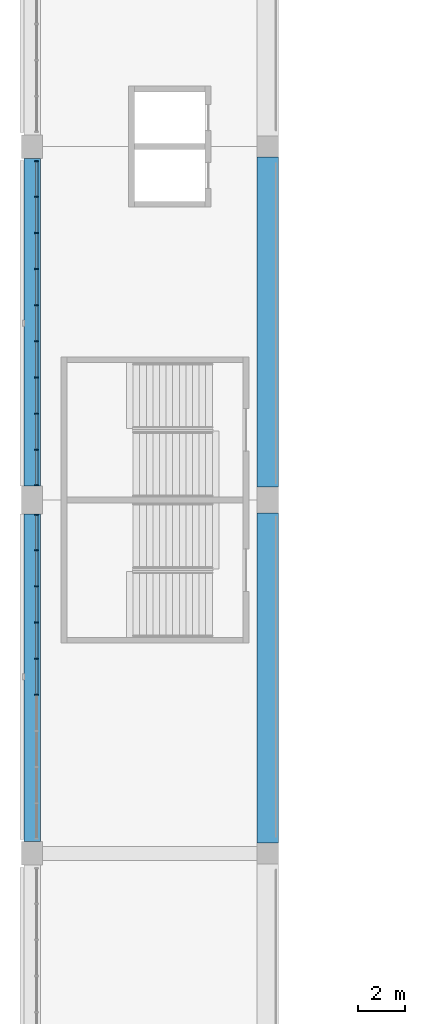
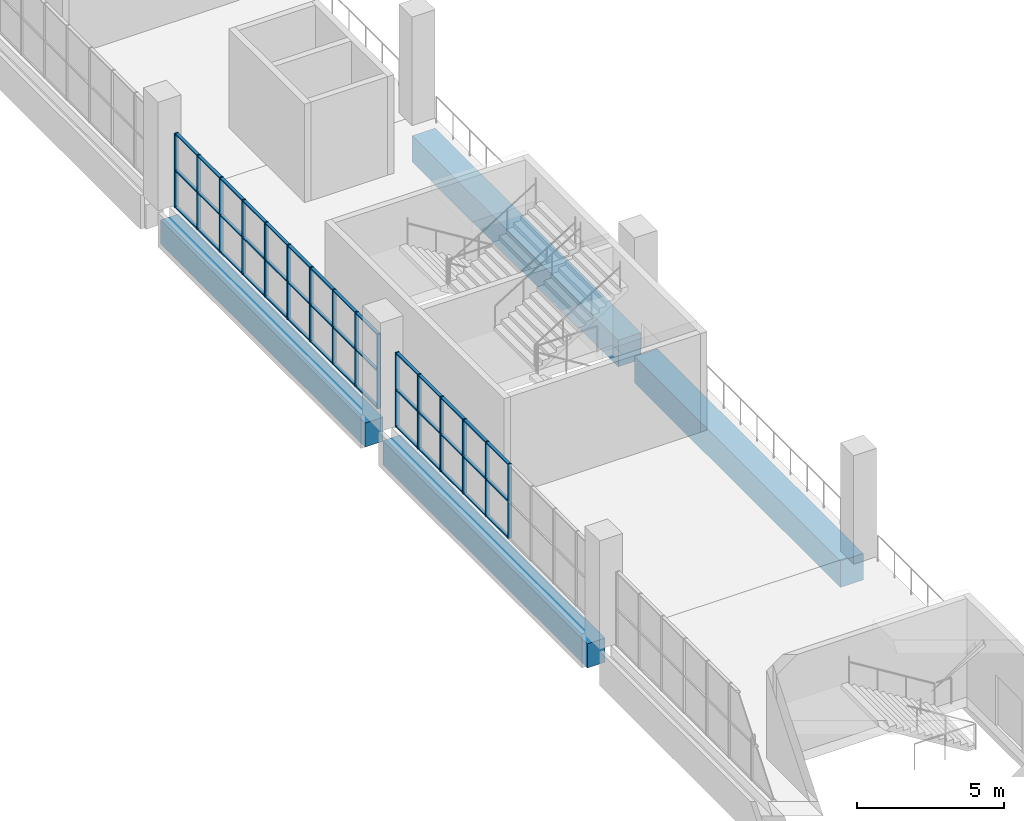
# One storey, part 14 of 177: 58 members, 4 beams, 2 elements without a shape of their own.
"""IFC4 building model written with IfcOpenShell, lengths in metres."""

from ifc_helpers import new_model, si_unit, direction, frame, origin, origin_2d, place, context, subcontext, project, spatial, rectangle, extrude, material, material_profile, profile_set, type_object, element, aggregate, save


model = new_model("IFC4")

# Units and contexts
model_context = context("Model", 3, precision=1e-05, world=origin(), true_north=direction((0.0, 1.0)))
body_context = subcontext(model_context, "Body", "Model", "MODEL_VIEW")
ifc_project = project(units=[si_unit("LENGTHUNIT", "METRE"), si_unit("AREAUNIT", "SQUARE_METRE"), si_unit("VOLUMEUNIT", "CUBIC_METRE"), si_unit("PLANEANGLEUNIT", "RADIAN"), si_unit("MASSUNIT", "GRAM", prefix="KILO")], contexts=[model_context])

# Site, building, storey
site_placement = place(None, origin())
site = spatial("IfcSite", under=ifc_project, at=site_placement, CompositionType="ELEMENT")
building_placement = place(site_placement, origin())
building = spatial("IfcBuilding", under=site, at=building_placement, Name="Ogive Plaza Stadium", CompositionType="ELEMENT")
storey_placement = place(building_placement, frame((0.0, 0.0, 18.0)))
storey = spatial("IfcBuildingStorey", under=building, at=storey_placement, Name="L04", CompositionType="ELEMENT", Elevation=18.0)

# Curtain wall, members
ifc_material_1 = material(Name="Bronze-anodised aluminium with laminated glass", Category="aluminium")
curtain_wall_type = type_object("IfcCurtainWallType", Name="Lancet curtain wall", PredefinedType="NOTDEFINED", material=ifc_material_1)
curtain_wall_1_placement = place(storey_placement, origin())
curtain_wall_1 = element("IfcCurtainWall", 1, at=curtain_wall_1_placement, inside=storey, type_object=curtain_wall_type, Name="CURTAIN WALL B23 L04", PredefinedType="NOTDEFINED")
ifc_material_2 = material(Name="Bronze-anodised aluminium", Category="aluminium")
ifc_material_profile_1 = material_profile(ifc_material_2, rectangle(XDim=0.14990234375, YDim=0.050048828125, at=origin_2d()), Name="AL 150x50")
ifc_profile_set_1 = profile_set([ifc_material_profile_1], Name="Bronze-anodised aluminium")
member_type_1 = type_object("IfcMemberType", Name="Curtain wall mullion 50x150", PredefinedType="MULLION", material=ifc_profile_set_1)
member_1_placement = place(storey_placement, frame((-83.800048828125, -15.7666015625, 0.0), z_axis=(0.0, 0.0, 1.0), x_axis=(-1.0, 0.0, 0.0)))
member_1 = element("IfcMember", 2, at=member_1_placement, type_object=member_type_1, Name="CW-B23-L04 mullion 5", PredefinedType="MULLION", context=body_context, shape_type="SweptSolid", body=[
    extrude(rectangle(XDim=0.14990234375, YDim=0.050048828125, at=origin_2d()), origin(), (0.0, 0.0, 1.0), 3.090087890625),
])
member_2_placement = place(storey_placement, frame((-83.800048828125, -14.2333984375, 0.0), z_axis=(0.0, 0.0, 1.0), x_axis=(-1.0, 0.0, 0.0)))
member_2 = element("IfcMember", 3, at=member_2_placement, type_object=member_type_1, Name="CW-B23-L04 mullion 6", PredefinedType="MULLION", context=body_context, shape_type="SweptSolid", body=[
    extrude(rectangle(XDim=0.14990234375, YDim=0.050048828125, at=origin_2d()), origin(), (0.0, 0.0, 1.0), 3.090087890625),
])
member_3_placement = place(storey_placement, frame((-83.800048828125, -12.699951171875, 0.0), z_axis=(0.0, 0.0, 1.0), x_axis=(-1.0, 0.0, 0.0)))
member_3 = element("IfcMember", 4, at=member_3_placement, type_object=member_type_1, Name="CW-B23-L04 mullion 7", PredefinedType="MULLION", context=body_context, shape_type="SweptSolid", body=[
    extrude(rectangle(XDim=0.14990234375, YDim=0.050048828125, at=origin_2d()), origin(), (0.0, 0.0, 1.0), 3.090087890625),
])
member_4_placement = place(storey_placement, frame((-83.800048828125, -11.166748046875, 0.0), z_axis=(0.0, 0.0, 1.0), x_axis=(-1.0, 0.0, 0.0)))
member_4 = element("IfcMember", 5, at=member_4_placement, type_object=member_type_1, Name="CW-B23-L04 mullion 8", PredefinedType="MULLION", context=body_context, shape_type="SweptSolid", body=[
    extrude(rectangle(XDim=0.14990234375, YDim=0.050048828125, at=origin_2d()), origin(), (0.0, 0.0, 1.0), 3.090087890625),
])
member_5_placement = place(storey_placement, frame((-83.800048828125, -9.63330078125, 0.0), z_axis=(0.0, 0.0, 1.0), x_axis=(-1.0, 0.0, 0.0)))
member_5 = element("IfcMember", 6, at=member_5_placement, type_object=member_type_1, Name="CW-B23-L04 mullion 9", PredefinedType="MULLION", context=body_context, shape_type="SweptSolid", body=[
    extrude(rectangle(XDim=0.14990234375, YDim=0.050048828125, at=origin_2d()), origin(), (0.0, 0.0, 1.0), 3.090087890625),
])
member_6_placement = place(storey_placement, frame((-83.800048828125, -8.125, 0.0), z_axis=(0.0, 0.0, 1.0), x_axis=(-1.0, 0.0, 0.0)))
member_6 = element("IfcMember", 7, at=member_6_placement, type_object=member_type_1, Name="CW-B23-L04 mullion 10", PredefinedType="MULLION", context=body_context, shape_type="SweptSolid", body=[
    extrude(rectangle(XDim=0.14990234375, YDim=0.050048828125, at=origin_2d()), origin(), (0.0, 0.0, 1.0), 3.090087890625),
])

curtain_wall_2_placement = place(storey_placement, origin())
curtain_wall_2 = element("IfcCurtainWall", 8, at=curtain_wall_2_placement, inside=storey, type_object=curtain_wall_type, Name="CURTAIN WALL B24 L04", PredefinedType="NOTDEFINED")
member_7_placement = place(storey_placement, frame((-83.800048828125, -6.875, 0.0), z_axis=(0.0, 0.0, 1.0), x_axis=(-1.0, 0.0, 0.0)))
member_7 = element("IfcMember", 9, at=member_7_placement, type_object=member_type_1, Name="CW-B24-L04 mullion 1", PredefinedType="MULLION", context=body_context, shape_type="SweptSolid", body=[
    extrude(rectangle(XDim=0.14990234375, YDim=0.050048828125, at=origin_2d()), origin(), (0.0, 0.0, 1.0), 3.090087890625),
])
member_8_placement = place(storey_placement, frame((-83.800048828125, -5.36669921875, 0.0), z_axis=(0.0, 0.0, 1.0), x_axis=(-1.0, 0.0, 0.0)))
member_8 = element("IfcMember", 10, at=member_8_placement, type_object=member_type_1, Name="CW-B24-L04 mullion 2", PredefinedType="MULLION", context=body_context, shape_type="SweptSolid", body=[
    extrude(rectangle(XDim=0.14990234375, YDim=0.050048828125, at=origin_2d()), origin(), (0.0, 0.0, 1.0), 3.090087890625),
])
member_9_placement = place(storey_placement, frame((-83.800048828125, -3.833251953125, 0.0), z_axis=(0.0, 0.0, 1.0), x_axis=(-1.0, 0.0, 0.0)))
member_9 = element("IfcMember", 11, at=member_9_placement, type_object=member_type_1, Name="CW-B24-L04 mullion 3", PredefinedType="MULLION", context=body_context, shape_type="SweptSolid", body=[
    extrude(rectangle(XDim=0.14990234375, YDim=0.050048828125, at=origin_2d()), origin(), (0.0, 0.0, 1.0), 3.090087890625),
])
member_10_placement = place(storey_placement, frame((-83.800048828125, -2.300048828125, 0.0), z_axis=(0.0, 0.0, 1.0), x_axis=(-1.0, 0.0, 0.0)))
member_10 = element("IfcMember", 12, at=member_10_placement, type_object=member_type_1, Name="CW-B24-L04 mullion 4", PredefinedType="MULLION", context=body_context, shape_type="SweptSolid", body=[
    extrude(rectangle(XDim=0.14990234375, YDim=0.050048828125, at=origin_2d()), origin(), (0.0, 0.0, 1.0), 3.090087890625),
])
member_11_placement = place(storey_placement, frame((-83.800048828125, -0.7666015625, 0.0), z_axis=(0.0, 0.0, 1.0), x_axis=(-1.0, 0.0, 0.0)))
member_11 = element("IfcMember", 13, at=member_11_placement, type_object=member_type_1, Name="CW-B24-L04 mullion 5", PredefinedType="MULLION", context=body_context, shape_type="SweptSolid", body=[
    extrude(rectangle(XDim=0.14990234375, YDim=0.050048828125, at=origin_2d()), origin(), (0.0, 0.0, 1.0), 3.090087890625),
])
member_12_placement = place(storey_placement, frame((-83.800048828125, 0.7666015625, 0.0), z_axis=(0.0, 0.0, 1.0), x_axis=(-1.0, 0.0, 0.0)))
member_12 = element("IfcMember", 14, at=member_12_placement, type_object=member_type_1, Name="CW-B24-L04 mullion 6", PredefinedType="MULLION", context=body_context, shape_type="SweptSolid", body=[
    extrude(rectangle(XDim=0.14990234375, YDim=0.050048828125, at=origin_2d()), origin(), (0.0, 0.0, 1.0), 3.090087890625),
])
member_13_placement = place(storey_placement, frame((-83.800048828125, 2.300048828125, 0.0), z_axis=(0.0, 0.0, 1.0), x_axis=(-1.0, 0.0, 0.0)))
member_13 = element("IfcMember", 15, at=member_13_placement, type_object=member_type_1, Name="CW-B24-L04 mullion 7", PredefinedType="MULLION", context=body_context, shape_type="SweptSolid", body=[
    extrude(rectangle(XDim=0.14990234375, YDim=0.050048828125, at=origin_2d()), origin(), (0.0, 0.0, 1.0), 3.090087890625),
])
member_14_placement = place(storey_placement, frame((-83.800048828125, 3.833251953125, 0.0), z_axis=(0.0, 0.0, 1.0), x_axis=(-1.0, 0.0, 0.0)))
member_14 = element("IfcMember", 16, at=member_14_placement, type_object=member_type_1, Name="CW-B24-L04 mullion 8", PredefinedType="MULLION", context=body_context, shape_type="SweptSolid", body=[
    extrude(rectangle(XDim=0.14990234375, YDim=0.050048828125, at=origin_2d()), origin(), (0.0, 0.0, 1.0), 3.090087890625),
])
member_15_placement = place(storey_placement, frame((-83.800048828125, 5.36669921875, 0.0), z_axis=(0.0, 0.0, 1.0), x_axis=(-1.0, 0.0, 0.0)))
member_15 = element("IfcMember", 17, at=member_15_placement, type_object=member_type_1, Name="CW-B24-L04 mullion 9", PredefinedType="MULLION", context=body_context, shape_type="SweptSolid", body=[
    extrude(rectangle(XDim=0.14990234375, YDim=0.050048828125, at=origin_2d()), origin(), (0.0, 0.0, 1.0), 3.090087890625),
])
member_16_placement = place(storey_placement, frame((-83.800048828125, 6.875, 0.0), z_axis=(0.0, 0.0, 1.0), x_axis=(-1.0, 0.0, 0.0)))
member_16 = element("IfcMember", 18, at=member_16_placement, type_object=member_type_1, Name="CW-B24-L04 mullion 10", PredefinedType="MULLION", context=body_context, shape_type="SweptSolid", body=[
    extrude(rectangle(XDim=0.14990234375, YDim=0.050048828125, at=origin_2d()), origin(), (0.0, 0.0, 1.0), 3.090087890625),
])

# Member
ifc_material_3 = material(Name="Bronze-anodised aluminium", Category="aluminium")
ifc_material_profile_2 = material_profile(ifc_material_3, rectangle(XDim=0.1201171875, YDim=0.050048828125, at=origin_2d()), Name="AL 120x50")
ifc_profile_set_2 = profile_set([ifc_material_profile_2], Name="Bronze-anodised aluminium")
member_type_2 = type_object("IfcMemberType", Name="Curtain wall transom 50x120", PredefinedType="USERDEFINED", material=ifc_profile_set_2)
member_17_placement = place(storey_placement, frame((-83.800048828125, -15.74169921875, 0.02490234375), z_axis=(0.0, 1.0, 0.0), x_axis=(-1.0, 0.0, 0.0)))
member_17 = element("IfcMember", 19, at=member_17_placement, type_object=member_type_2, Name="CW-B23-L04 transom 5.1", ObjectType="TRANSOM", PredefinedType="USERDEFINED", context=body_context, shape_type="SweptSolid", body=[
    extrude(rectangle(XDim=0.1201171875, YDim=0.050048828125, at=origin_2d()), origin(), (0.0, 0.0, 1.0), 1.4833984375),
])

member_18_placement = place(storey_placement, frame((-83.800048828125, -15.74169921875, 1.544921875), z_axis=(0.0, 1.0, 0.0), x_axis=(-1.0, 0.0, 0.0)))
member_18 = element("IfcMember", 20, at=member_18_placement, type_object=member_type_2, Name="CW-B23-L04 transom 5.2", ObjectType="TRANSOM", PredefinedType="USERDEFINED", context=body_context, shape_type="SweptSolid", body=[
    extrude(rectangle(XDim=0.1201171875, YDim=0.050048828125, at=origin_2d()), origin(), (0.0, 0.0, 1.0), 1.4833984375),
])

member_19_placement = place(storey_placement, frame((-83.800048828125, -15.74169921875, 3.06494140625), z_axis=(0.0, 1.0, 0.0), x_axis=(-1.0, 0.0, 0.0)))
member_19 = element("IfcMember", 21, at=member_19_placement, type_object=member_type_2, Name="CW-B23-L04 transom 5.3", ObjectType="TRANSOM", PredefinedType="USERDEFINED", context=body_context, shape_type="SweptSolid", body=[
    extrude(rectangle(XDim=0.1201171875, YDim=0.050048828125, at=origin_2d()), origin(), (0.0, 0.0, 1.0), 1.4833984375),
])

member_20_placement = place(storey_placement, frame((-83.800048828125, -14.208251953125, 0.02490234375), z_axis=(0.0, 1.0, 0.0), x_axis=(-1.0, 0.0, 0.0)))
member_20 = element("IfcMember", 22, at=member_20_placement, type_object=member_type_2, Name="CW-B23-L04 transom 6.1", ObjectType="TRANSOM", PredefinedType="USERDEFINED", context=body_context, shape_type="SweptSolid", body=[
    extrude(rectangle(XDim=0.1201171875, YDim=0.050048828125, at=origin_2d()), origin(), (0.0, 0.0, 1.0), 1.483154296875),
])

member_21_placement = place(storey_placement, frame((-83.800048828125, -14.208251953125, 1.544921875), z_axis=(0.0, 1.0, 0.0), x_axis=(-1.0, 0.0, 0.0)))
member_21 = element("IfcMember", 23, at=member_21_placement, type_object=member_type_2, Name="CW-B23-L04 transom 6.2", ObjectType="TRANSOM", PredefinedType="USERDEFINED", context=body_context, shape_type="SweptSolid", body=[
    extrude(rectangle(XDim=0.1201171875, YDim=0.050048828125, at=origin_2d()), origin(), (0.0, 0.0, 1.0), 1.483154296875),
])

member_22_placement = place(storey_placement, frame((-83.800048828125, -14.208251953125, 3.06494140625), z_axis=(0.0, 1.0, 0.0), x_axis=(-1.0, 0.0, 0.0)))
member_22 = element("IfcMember", 24, at=member_22_placement, type_object=member_type_2, Name="CW-B23-L04 transom 6.3", ObjectType="TRANSOM", PredefinedType="USERDEFINED", context=body_context, shape_type="SweptSolid", body=[
    extrude(rectangle(XDim=0.1201171875, YDim=0.050048828125, at=origin_2d()), origin(), (0.0, 0.0, 1.0), 1.483154296875),
])

member_23_placement = place(storey_placement, frame((-83.800048828125, -12.675048828125, 0.02490234375), z_axis=(0.0, 1.0, 0.0), x_axis=(-1.0, 0.0, 0.0)))
member_23 = element("IfcMember", 25, at=member_23_placement, type_object=member_type_2, Name="CW-B23-L04 transom 7.1", ObjectType="TRANSOM", PredefinedType="USERDEFINED", context=body_context, shape_type="SweptSolid", body=[
    extrude(rectangle(XDim=0.1201171875, YDim=0.050048828125, at=origin_2d()), origin(), (0.0, 0.0, 1.0), 1.4833984375),
])

member_24_placement = place(storey_placement, frame((-83.800048828125, -12.675048828125, 1.544921875), z_axis=(0.0, 1.0, 0.0), x_axis=(-1.0, 0.0, 0.0)))
member_24 = element("IfcMember", 26, at=member_24_placement, type_object=member_type_2, Name="CW-B23-L04 transom 7.2", ObjectType="TRANSOM", PredefinedType="USERDEFINED", context=body_context, shape_type="SweptSolid", body=[
    extrude(rectangle(XDim=0.1201171875, YDim=0.050048828125, at=origin_2d()), origin(), (0.0, 0.0, 1.0), 1.4833984375),
])

member_25_placement = place(storey_placement, frame((-83.800048828125, -12.675048828125, 3.06494140625), z_axis=(0.0, 1.0, 0.0), x_axis=(-1.0, 0.0, 0.0)))
member_25 = element("IfcMember", 27, at=member_25_placement, type_object=member_type_2, Name="CW-B23-L04 transom 7.3", ObjectType="TRANSOM", PredefinedType="USERDEFINED", context=body_context, shape_type="SweptSolid", body=[
    extrude(rectangle(XDim=0.1201171875, YDim=0.050048828125, at=origin_2d()), origin(), (0.0, 0.0, 1.0), 1.4833984375),
])

member_26_placement = place(storey_placement, frame((-83.800048828125, -11.1416015625, 0.02490234375), z_axis=(0.0, 1.0, 0.0), x_axis=(-1.0, 0.0, 0.0)))
member_26 = element("IfcMember", 28, at=member_26_placement, type_object=member_type_2, Name="CW-B23-L04 transom 8.1", ObjectType="TRANSOM", PredefinedType="USERDEFINED", context=body_context, shape_type="SweptSolid", body=[
    extrude(rectangle(XDim=0.1201171875, YDim=0.050048828125, at=origin_2d()), origin(), (0.0, 0.0, 1.0), 1.483154296875),
])

member_27_placement = place(storey_placement, frame((-83.800048828125, -11.1416015625, 1.544921875), z_axis=(0.0, 1.0, 0.0), x_axis=(-1.0, 0.0, 0.0)))
member_27 = element("IfcMember", 29, at=member_27_placement, type_object=member_type_2, Name="CW-B23-L04 transom 8.2", ObjectType="TRANSOM", PredefinedType="USERDEFINED", context=body_context, shape_type="SweptSolid", body=[
    extrude(rectangle(XDim=0.1201171875, YDim=0.050048828125, at=origin_2d()), origin(), (0.0, 0.0, 1.0), 1.483154296875),
])

member_28_placement = place(storey_placement, frame((-83.800048828125, -11.1416015625, 3.06494140625), z_axis=(0.0, 1.0, 0.0), x_axis=(-1.0, 0.0, 0.0)))
member_28 = element("IfcMember", 30, at=member_28_placement, type_object=member_type_2, Name="CW-B23-L04 transom 8.3", ObjectType="TRANSOM", PredefinedType="USERDEFINED", context=body_context, shape_type="SweptSolid", body=[
    extrude(rectangle(XDim=0.1201171875, YDim=0.050048828125, at=origin_2d()), origin(), (0.0, 0.0, 1.0), 1.483154296875),
])

member_29_placement = place(storey_placement, frame((-83.800048828125, -9.6083984375, 0.02490234375), z_axis=(0.0, 1.0, 0.0), x_axis=(-1.0, 0.0, 0.0)))
member_29 = element("IfcMember", 31, at=member_29_placement, type_object=member_type_2, Name="CW-B23-L04 transom 9.1", ObjectType="TRANSOM", PredefinedType="USERDEFINED", context=body_context, shape_type="SweptSolid", body=[
    extrude(rectangle(XDim=0.1201171875, YDim=0.050048828125, at=origin_2d()), origin(), (0.0, 0.0, 1.0), 1.45849609375),
])

member_30_placement = place(storey_placement, frame((-83.800048828125, -9.6083984375, 1.544921875), z_axis=(0.0, 1.0, 0.0), x_axis=(-1.0, 0.0, 0.0)))
member_30 = element("IfcMember", 32, at=member_30_placement, type_object=member_type_2, Name="CW-B23-L04 transom 9.2", ObjectType="TRANSOM", PredefinedType="USERDEFINED", context=body_context, shape_type="SweptSolid", body=[
    extrude(rectangle(XDim=0.1201171875, YDim=0.050048828125, at=origin_2d()), origin(), (0.0, 0.0, 1.0), 1.45849609375),
])

member_31_placement = place(storey_placement, frame((-83.800048828125, -9.6083984375, 3.06494140625), z_axis=(0.0, 1.0, 0.0), x_axis=(-1.0, 0.0, 0.0)))
member_31 = element("IfcMember", 33, at=member_31_placement, type_object=member_type_2, Name="CW-B23-L04 transom 9.3", ObjectType="TRANSOM", PredefinedType="USERDEFINED", context=body_context, shape_type="SweptSolid", body=[
    extrude(rectangle(XDim=0.1201171875, YDim=0.050048828125, at=origin_2d()), origin(), (0.0, 0.0, 1.0), 1.45849609375),
])

aggregate(curtain_wall_1, [member_1, member_2, member_3, member_4, member_5, member_6, member_17, member_18, member_19, member_20, member_21, member_22, member_23, member_24, member_25, member_26, member_27, member_28, member_29, member_30, member_31])

member_32_placement = place(storey_placement, frame((-83.800048828125, -6.85009765625, 0.02490234375), z_axis=(0.0, 1.0, 0.0), x_axis=(-1.0, 0.0, 0.0)))
member_32 = element("IfcMember", 34, at=member_32_placement, type_object=member_type_2, Name="CW-B24-L04 transom 1.1", ObjectType="TRANSOM", PredefinedType="USERDEFINED", context=body_context, shape_type="SweptSolid", body=[
    extrude(rectangle(XDim=0.1201171875, YDim=0.050048828125, at=origin_2d()), origin(), (0.0, 0.0, 1.0), 1.45849609375),
])

member_33_placement = place(storey_placement, frame((-83.800048828125, -6.85009765625, 1.544921875), z_axis=(0.0, 1.0, 0.0), x_axis=(-1.0, 0.0, 0.0)))
member_33 = element("IfcMember", 35, at=member_33_placement, type_object=member_type_2, Name="CW-B24-L04 transom 1.2", ObjectType="TRANSOM", PredefinedType="USERDEFINED", context=body_context, shape_type="SweptSolid", body=[
    extrude(rectangle(XDim=0.1201171875, YDim=0.050048828125, at=origin_2d()), origin(), (0.0, 0.0, 1.0), 1.45849609375),
])

member_34_placement = place(storey_placement, frame((-83.800048828125, -6.85009765625, 3.06494140625), z_axis=(0.0, 1.0, 0.0), x_axis=(-1.0, 0.0, 0.0)))
member_34 = element("IfcMember", 36, at=member_34_placement, type_object=member_type_2, Name="CW-B24-L04 transom 1.3", ObjectType="TRANSOM", PredefinedType="USERDEFINED", context=body_context, shape_type="SweptSolid", body=[
    extrude(rectangle(XDim=0.1201171875, YDim=0.050048828125, at=origin_2d()), origin(), (0.0, 0.0, 1.0), 1.45849609375),
])

member_35_placement = place(storey_placement, frame((-83.800048828125, -5.341552734375, 0.02490234375), z_axis=(0.0, 1.0, 0.0), x_axis=(-1.0, 0.0, 0.0)))
member_35 = element("IfcMember", 37, at=member_35_placement, type_object=member_type_2, Name="CW-B24-L04 transom 2.1", ObjectType="TRANSOM", PredefinedType="USERDEFINED", context=body_context, shape_type="SweptSolid", body=[
    extrude(rectangle(XDim=0.1201171875, YDim=0.050048828125, at=origin_2d()), origin(), (0.0, 0.0, 1.0), 1.483154296875),
])

member_36_placement = place(storey_placement, frame((-83.800048828125, -5.341552734375, 1.544921875), z_axis=(0.0, 1.0, 0.0), x_axis=(-1.0, 0.0, 0.0)))
member_36 = element("IfcMember", 38, at=member_36_placement, type_object=member_type_2, Name="CW-B24-L04 transom 2.2", ObjectType="TRANSOM", PredefinedType="USERDEFINED", context=body_context, shape_type="SweptSolid", body=[
    extrude(rectangle(XDim=0.1201171875, YDim=0.050048828125, at=origin_2d()), origin(), (0.0, 0.0, 1.0), 1.483154296875),
])

member_37_placement = place(storey_placement, frame((-83.800048828125, -5.341552734375, 3.06494140625), z_axis=(0.0, 1.0, 0.0), x_axis=(-1.0, 0.0, 0.0)))
member_37 = element("IfcMember", 39, at=member_37_placement, type_object=member_type_2, Name="CW-B24-L04 transom 2.3", ObjectType="TRANSOM", PredefinedType="USERDEFINED", context=body_context, shape_type="SweptSolid", body=[
    extrude(rectangle(XDim=0.1201171875, YDim=0.050048828125, at=origin_2d()), origin(), (0.0, 0.0, 1.0), 1.483154296875),
])

member_38_placement = place(storey_placement, frame((-83.800048828125, -3.808349609375, 0.02490234375), z_axis=(0.0, 1.0, 0.0), x_axis=(-1.0, 0.0, 0.0)))
member_38 = element("IfcMember", 40, at=member_38_placement, type_object=member_type_2, Name="CW-B24-L04 transom 3.1", ObjectType="TRANSOM", PredefinedType="USERDEFINED", context=body_context, shape_type="SweptSolid", body=[
    extrude(rectangle(XDim=0.1201171875, YDim=0.050048828125, at=origin_2d()), origin(), (0.0, 0.0, 1.0), 1.4833984375),
])

member_39_placement = place(storey_placement, frame((-83.800048828125, -3.808349609375, 1.544921875), z_axis=(0.0, 1.0, 0.0), x_axis=(-1.0, 0.0, 0.0)))
member_39 = element("IfcMember", 41, at=member_39_placement, type_object=member_type_2, Name="CW-B24-L04 transom 3.2", ObjectType="TRANSOM", PredefinedType="USERDEFINED", context=body_context, shape_type="SweptSolid", body=[
    extrude(rectangle(XDim=0.1201171875, YDim=0.050048828125, at=origin_2d()), origin(), (0.0, 0.0, 1.0), 1.4833984375),
])

member_40_placement = place(storey_placement, frame((-83.800048828125, -3.808349609375, 3.06494140625), z_axis=(0.0, 1.0, 0.0), x_axis=(-1.0, 0.0, 0.0)))
member_40 = element("IfcMember", 42, at=member_40_placement, type_object=member_type_2, Name="CW-B24-L04 transom 3.3", ObjectType="TRANSOM", PredefinedType="USERDEFINED", context=body_context, shape_type="SweptSolid", body=[
    extrude(rectangle(XDim=0.1201171875, YDim=0.050048828125, at=origin_2d()), origin(), (0.0, 0.0, 1.0), 1.4833984375),
])

member_41_placement = place(storey_placement, frame((-83.800048828125, -2.27490234375, 0.02490234375), z_axis=(0.0, 1.0, 0.0), x_axis=(-1.0, 0.0, 0.0)))
member_41 = element("IfcMember", 43, at=member_41_placement, type_object=member_type_2, Name="CW-B24-L04 transom 4.1", ObjectType="TRANSOM", PredefinedType="USERDEFINED", context=body_context, shape_type="SweptSolid", body=[
    extrude(rectangle(XDim=0.1201171875, YDim=0.050048828125, at=origin_2d()), origin(), (0.0, 0.0, 1.0), 1.483154296875),
])

member_42_placement = place(storey_placement, frame((-83.800048828125, -2.27490234375, 1.544921875), z_axis=(0.0, 1.0, 0.0), x_axis=(-1.0, 0.0, 0.0)))
member_42 = element("IfcMember", 44, at=member_42_placement, type_object=member_type_2, Name="CW-B24-L04 transom 4.2", ObjectType="TRANSOM", PredefinedType="USERDEFINED", context=body_context, shape_type="SweptSolid", body=[
    extrude(rectangle(XDim=0.1201171875, YDim=0.050048828125, at=origin_2d()), origin(), (0.0, 0.0, 1.0), 1.483154296875),
])

member_43_placement = place(storey_placement, frame((-83.800048828125, -2.27490234375, 3.06494140625), z_axis=(0.0, 1.0, 0.0), x_axis=(-1.0, 0.0, 0.0)))
member_43 = element("IfcMember", 45, at=member_43_placement, type_object=member_type_2, Name="CW-B24-L04 transom 4.3", ObjectType="TRANSOM", PredefinedType="USERDEFINED", context=body_context, shape_type="SweptSolid", body=[
    extrude(rectangle(XDim=0.1201171875, YDim=0.050048828125, at=origin_2d()), origin(), (0.0, 0.0, 1.0), 1.483154296875),
])

member_44_placement = place(storey_placement, frame((-83.800048828125, -0.74169921875, 0.02490234375), z_axis=(0.0, 1.0, 0.0), x_axis=(-1.0, 0.0, 0.0)))
member_44 = element("IfcMember", 46, at=member_44_placement, type_object=member_type_2, Name="CW-B24-L04 transom 5.1", ObjectType="TRANSOM", PredefinedType="USERDEFINED", context=body_context, shape_type="SweptSolid", body=[
    extrude(rectangle(XDim=0.1201171875, YDim=0.050048828125, at=origin_2d()), origin(), (0.0, 0.0, 1.0), 1.4833984375),
])

member_45_placement = place(storey_placement, frame((-83.800048828125, -0.74169921875, 1.544921875), z_axis=(0.0, 1.0, 0.0), x_axis=(-1.0, 0.0, 0.0)))
member_45 = element("IfcMember", 47, at=member_45_placement, type_object=member_type_2, Name="CW-B24-L04 transom 5.2", ObjectType="TRANSOM", PredefinedType="USERDEFINED", context=body_context, shape_type="SweptSolid", body=[
    extrude(rectangle(XDim=0.1201171875, YDim=0.050048828125, at=origin_2d()), origin(), (0.0, 0.0, 1.0), 1.4833984375),
])

member_46_placement = place(storey_placement, frame((-83.800048828125, -0.74169921875, 3.06494140625), z_axis=(0.0, 1.0, 0.0), x_axis=(-1.0, 0.0, 0.0)))
member_46 = element("IfcMember", 48, at=member_46_placement, type_object=member_type_2, Name="CW-B24-L04 transom 5.3", ObjectType="TRANSOM", PredefinedType="USERDEFINED", context=body_context, shape_type="SweptSolid", body=[
    extrude(rectangle(XDim=0.1201171875, YDim=0.050048828125, at=origin_2d()), origin(), (0.0, 0.0, 1.0), 1.4833984375),
])

member_47_placement = place(storey_placement, frame((-83.800048828125, 0.791748046875, 0.02490234375), z_axis=(0.0, 1.0, 0.0), x_axis=(-1.0, 0.0, 0.0)))
member_47 = element("IfcMember", 49, at=member_47_placement, type_object=member_type_2, Name="CW-B24-L04 transom 6.1", ObjectType="TRANSOM", PredefinedType="USERDEFINED", context=body_context, shape_type="SweptSolid", body=[
    extrude(rectangle(XDim=0.1201171875, YDim=0.050048828125, at=origin_2d()), origin(), (0.0, 0.0, 1.0), 1.483154296875),
])

member_48_placement = place(storey_placement, frame((-83.800048828125, 0.791748046875, 1.544921875), z_axis=(0.0, 1.0, 0.0), x_axis=(-1.0, 0.0, 0.0)))
member_48 = element("IfcMember", 50, at=member_48_placement, type_object=member_type_2, Name="CW-B24-L04 transom 6.2", ObjectType="TRANSOM", PredefinedType="USERDEFINED", context=body_context, shape_type="SweptSolid", body=[
    extrude(rectangle(XDim=0.1201171875, YDim=0.050048828125, at=origin_2d()), origin(), (0.0, 0.0, 1.0), 1.483154296875),
])

member_49_placement = place(storey_placement, frame((-83.800048828125, 0.791748046875, 3.06494140625), z_axis=(0.0, 1.0, 0.0), x_axis=(-1.0, 0.0, 0.0)))
member_49 = element("IfcMember", 51, at=member_49_placement, type_object=member_type_2, Name="CW-B24-L04 transom 6.3", ObjectType="TRANSOM", PredefinedType="USERDEFINED", context=body_context, shape_type="SweptSolid", body=[
    extrude(rectangle(XDim=0.1201171875, YDim=0.050048828125, at=origin_2d()), origin(), (0.0, 0.0, 1.0), 1.483154296875),
])

member_50_placement = place(storey_placement, frame((-83.800048828125, 2.324951171875, 0.02490234375), z_axis=(0.0, 1.0, 0.0), x_axis=(-1.0, 0.0, 0.0)))
member_50 = element("IfcMember", 52, at=member_50_placement, type_object=member_type_2, Name="CW-B24-L04 transom 7.1", ObjectType="TRANSOM", PredefinedType="USERDEFINED", context=body_context, shape_type="SweptSolid", body=[
    extrude(rectangle(XDim=0.1201171875, YDim=0.050048828125, at=origin_2d()), origin(), (0.0, 0.0, 1.0), 1.4833984375),
])

member_51_placement = place(storey_placement, frame((-83.800048828125, 2.324951171875, 1.544921875), z_axis=(0.0, 1.0, 0.0), x_axis=(-1.0, 0.0, 0.0)))
member_51 = element("IfcMember", 53, at=member_51_placement, type_object=member_type_2, Name="CW-B24-L04 transom 7.2", ObjectType="TRANSOM", PredefinedType="USERDEFINED", context=body_context, shape_type="SweptSolid", body=[
    extrude(rectangle(XDim=0.1201171875, YDim=0.050048828125, at=origin_2d()), origin(), (0.0, 0.0, 1.0), 1.4833984375),
])

member_52_placement = place(storey_placement, frame((-83.800048828125, 2.324951171875, 3.06494140625), z_axis=(0.0, 1.0, 0.0), x_axis=(-1.0, 0.0, 0.0)))
member_52 = element("IfcMember", 54, at=member_52_placement, type_object=member_type_2, Name="CW-B24-L04 transom 7.3", ObjectType="TRANSOM", PredefinedType="USERDEFINED", context=body_context, shape_type="SweptSolid", body=[
    extrude(rectangle(XDim=0.1201171875, YDim=0.050048828125, at=origin_2d()), origin(), (0.0, 0.0, 1.0), 1.4833984375),
])

member_53_placement = place(storey_placement, frame((-83.800048828125, 3.8583984375, 0.02490234375), z_axis=(0.0, 1.0, 0.0), x_axis=(-1.0, 0.0, 0.0)))
member_53 = element("IfcMember", 55, at=member_53_placement, type_object=member_type_2, Name="CW-B24-L04 transom 8.1", ObjectType="TRANSOM", PredefinedType="USERDEFINED", context=body_context, shape_type="SweptSolid", body=[
    extrude(rectangle(XDim=0.1201171875, YDim=0.050048828125, at=origin_2d()), origin(), (0.0, 0.0, 1.0), 1.483154296875),
])

member_54_placement = place(storey_placement, frame((-83.800048828125, 3.8583984375, 1.544921875), z_axis=(0.0, 1.0, 0.0), x_axis=(-1.0, 0.0, 0.0)))
member_54 = element("IfcMember", 56, at=member_54_placement, type_object=member_type_2, Name="CW-B24-L04 transom 8.2", ObjectType="TRANSOM", PredefinedType="USERDEFINED", context=body_context, shape_type="SweptSolid", body=[
    extrude(rectangle(XDim=0.1201171875, YDim=0.050048828125, at=origin_2d()), origin(), (0.0, 0.0, 1.0), 1.483154296875),
])

member_55_placement = place(storey_placement, frame((-83.800048828125, 3.8583984375, 3.06494140625), z_axis=(0.0, 1.0, 0.0), x_axis=(-1.0, 0.0, 0.0)))
member_55 = element("IfcMember", 57, at=member_55_placement, type_object=member_type_2, Name="CW-B24-L04 transom 8.3", ObjectType="TRANSOM", PredefinedType="USERDEFINED", context=body_context, shape_type="SweptSolid", body=[
    extrude(rectangle(XDim=0.1201171875, YDim=0.050048828125, at=origin_2d()), origin(), (0.0, 0.0, 1.0), 1.483154296875),
])

member_56_placement = place(storey_placement, frame((-83.800048828125, 5.3916015625, 0.02490234375), z_axis=(0.0, 1.0, 0.0), x_axis=(-1.0, 0.0, 0.0)))
member_56 = element("IfcMember", 58, at=member_56_placement, type_object=member_type_2, Name="CW-B24-L04 transom 9.1", ObjectType="TRANSOM", PredefinedType="USERDEFINED", context=body_context, shape_type="SweptSolid", body=[
    extrude(rectangle(XDim=0.1201171875, YDim=0.050048828125, at=origin_2d()), origin(), (0.0, 0.0, 1.0), 1.45849609375),
])

member_57_placement = place(storey_placement, frame((-83.800048828125, 5.3916015625, 1.544921875), z_axis=(0.0, 1.0, 0.0), x_axis=(-1.0, 0.0, 0.0)))
member_57 = element("IfcMember", 59, at=member_57_placement, type_object=member_type_2, Name="CW-B24-L04 transom 9.2", ObjectType="TRANSOM", PredefinedType="USERDEFINED", context=body_context, shape_type="SweptSolid", body=[
    extrude(rectangle(XDim=0.1201171875, YDim=0.050048828125, at=origin_2d()), origin(), (0.0, 0.0, 1.0), 1.45849609375),
])

member_58_placement = place(storey_placement, frame((-83.800048828125, 5.3916015625, 3.06494140625), z_axis=(0.0, 1.0, 0.0), x_axis=(-1.0, 0.0, 0.0)))
member_58 = element("IfcMember", 60, at=member_58_placement, type_object=member_type_2, Name="CW-B24-L04 transom 9.3", ObjectType="TRANSOM", PredefinedType="USERDEFINED", context=body_context, shape_type="SweptSolid", body=[
    extrude(rectangle(XDim=0.1201171875, YDim=0.050048828125, at=origin_2d()), origin(), (0.0, 0.0, 1.0), 1.45849609375),
])

aggregate(curtain_wall_2, [member_7, member_8, member_9, member_10, member_11, member_12, member_13, member_14, member_15, member_16, member_32, member_33, member_34, member_35, member_36, member_37, member_38, member_39, member_40, member_41, member_42, member_43, member_44, member_45, member_46, member_47, member_48, member_49, member_50, member_51, member_52, member_53, member_54, member_55, member_56, member_57, member_58])

# Beams
ifc_material_4 = material(Name="Concrete C40/50", Category="concrete")
ifc_material_profile_3 = material_profile(ifc_material_4, rectangle(XDim=0.89990234375, YDim=1.10009765625, at=origin_2d()), Name="RC 900x1100")
ifc_profile_set_3 = profile_set([ifc_material_profile_3], Name="Concrete C40/50")
beam_type_1 = type_object("IfcBeamType", Name="RC ring beam 900x1100", PredefinedType="BEAM", material=ifc_profile_set_3)
for number, where, z_axis, x_axis, name in (
    (61, (-74.0, -22.050048828125, -0.9599609375), (0.0, 1.0, 0.0), (-1.0, 0.0, 0.0), "Ring beam F4 L04 B23"),
    (62, (-74.0, -6.949951171875, -0.9599609375), (0.0, 1.0, 0.0), (-1.0, 0.0, 0.0), "Ring beam F4 L04 B24"),
):
    element("IfcBeam", number, at=place(storey_placement, frame(where, z_axis=z_axis, x_axis=x_axis)), inside=storey, type_object=beam_type_1, Name=name, PredefinedType="BEAM", context=body_context, shape_type="SweptSolid", body=[
        extrude(rectangle(XDim=0.89990234375, YDim=1.10009765625, at=origin_2d()), origin(), (0.0, 0.0, 1.0), 14.0),
    ])
ifc_material_5 = material(Name="Concrete C40/50", Category="concrete")
ifc_material_profile_4 = material_profile(ifc_material_5, rectangle(XDim=0.699951171875, YDim=1.0, at=origin_2d()), Name="RC 700x1000")
ifc_profile_set_4 = profile_set([ifc_material_profile_4], Name="Concrete C40/50")
beam_type_2 = type_object("IfcBeamType", Name="RC spandrel beam 700x1000", PredefinedType="SPANDREL", material=ifc_profile_set_4)
for number, where, z_axis, x_axis, name in (
    (63, (-84.0, -22.0, -0.909912109375), (0.0, 1.0, 0.0), (-1.0, 0.0, 0.0), "Ring beam F5 L04 B23"),
    (64, (-84.0, -6.89990234375, -0.909912109375), (0.0, 1.0, 0.0), (-1.0, 0.0, 0.0), "Ring beam F5 L04 B24"),
):
    element("IfcBeam", number, at=place(storey_placement, frame(where, z_axis=z_axis, x_axis=x_axis)), inside=storey, type_object=beam_type_2, Name=name, PredefinedType="SPANDREL", context=body_context, shape_type="SweptSolid", body=[
        extrude(rectangle(XDim=0.699951171875, YDim=1.0, at=origin_2d()), origin(), (0.0, 0.0, 1.0), 13.89990234375),
    ])

save(model, "model.ifc")
